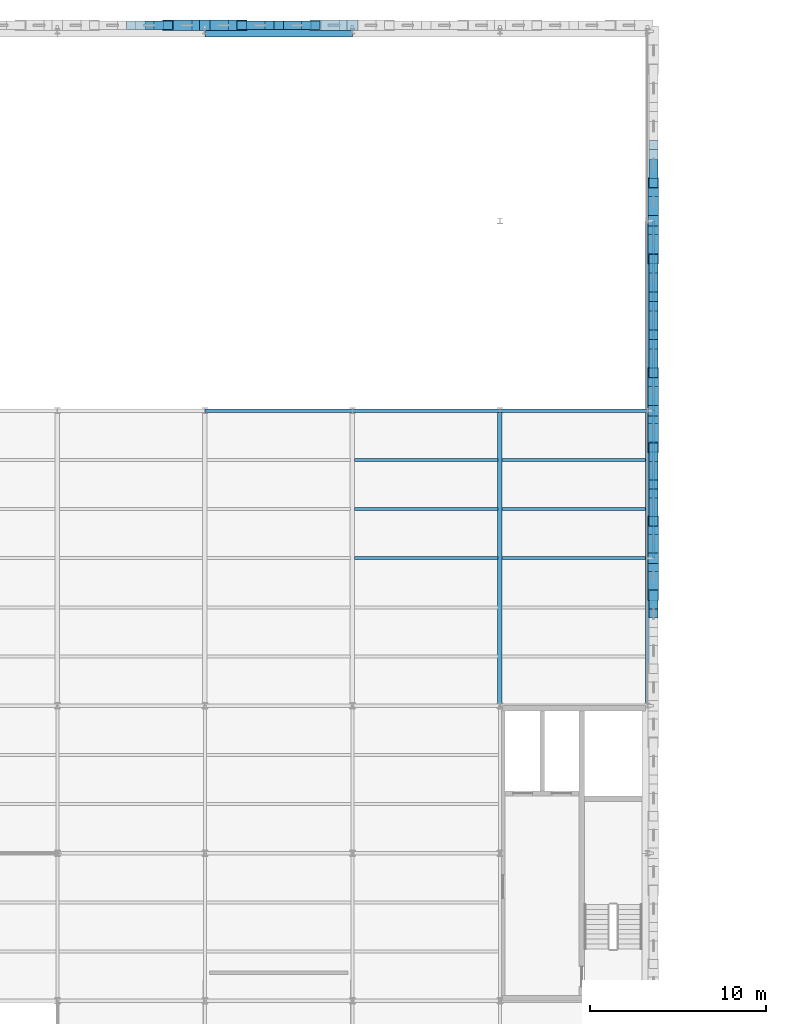
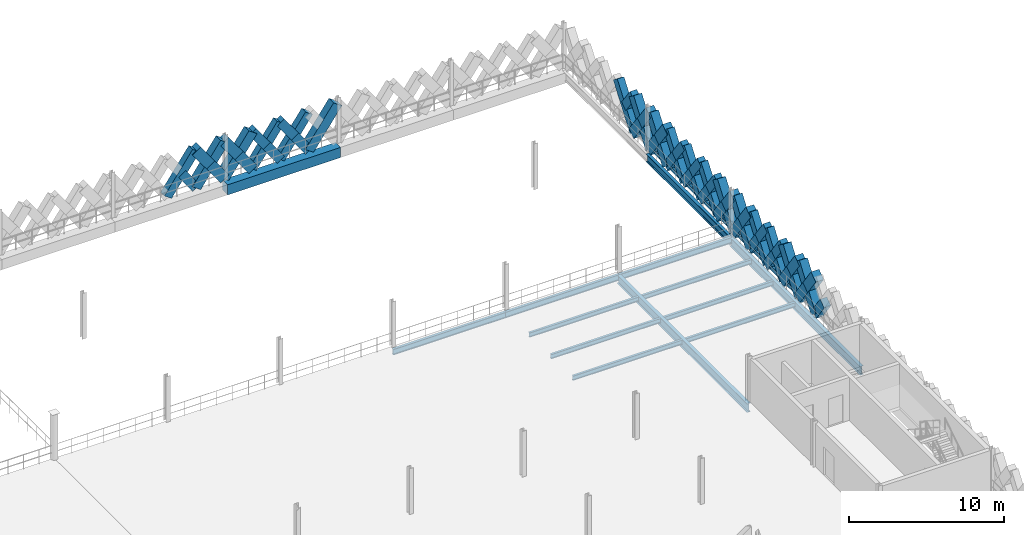
# One storey, part 26 of 47: 53 members, 13 beams.
"""IFC4 building model written with IfcOpenShell, lengths in metres."""

from ifc_helpers import new_model, si_unit, direction, frame, origin, origin_2d, place, context, subcontext, project, spatial, rectangle, hollow_rectangle, i_section, extrude, material, material_profile, profile_set, type_object, element, save


model = new_model("IFC4")

# Units and contexts
model_context = context("Model", 3, precision=1e-05, world=origin(), true_north=direction((0.0, 1.0)))
body_context = subcontext(model_context, "Body", "Model", "MODEL_VIEW")
ifc_project = project(units=[si_unit("LENGTHUNIT", "METRE"), si_unit("AREAUNIT", "SQUARE_METRE"), si_unit("VOLUMEUNIT", "CUBIC_METRE"), si_unit("PLANEANGLEUNIT", "RADIAN"), si_unit("MASSUNIT", "GRAM", prefix="KILO"), si_unit("THERMODYNAMICTEMPERATUREUNIT", "KELVIN"), si_unit("POWERUNIT", "WATT")], contexts=[model_context])

# Site, building, storey
site_placement = place(None, origin())
site = spatial("IfcSite", under=ifc_project, at=site_placement, CompositionType="ELEMENT")
building_placement = place(site_placement, origin())
building = spatial("IfcBuilding", under=site, at=building_placement, Name="Tembeka Court Mobility Hub", CompositionType="ELEMENT")
storey_placement = place(building_placement, frame((0.0, 0.0, 19.800048828125)))
storey = spatial("IfcBuildingStorey", under=building, at=storey_placement, Name="L05", CompositionType="ELEMENT", Elevation=19.800048828125)

# Beams
ifc_material_1 = material(Name="Steel S355", Category="steel")
ifc_material_profile_1 = material_profile(ifc_material_1, i_section(OverallWidth=0.18994140625, OverallDepth=0.45703125, WebThickness=0.009033203125, FlangeThickness=0.014404296875, FilletRadius=0.01025390625, at=origin_2d()), Name="UKB 457x191x74")
ifc_profile_set_1 = profile_set([ifc_material_profile_1], Name="Steel S355")
beam_type_1 = type_object("IfcBeamType", Name="BM-B01", PredefinedType="BEAM", material=ifc_profile_set_1)
beam_1_placement = place(storey_placement, frame((67.199951171875, 97.199951171875, -0.448486328125), z_axis=(1.0, 0.0, 0.0), x_axis=(0.0, 1.0, 0.0)))
element("IfcBeam", 1, at=beam_1_placement, inside=storey, type_object=beam_type_1, Name="Beam B01 (BM-L05-X2761)", PredefinedType="BEAM", context=body_context, shape_type="SweptSolid", body=[
    extrude(i_section(OverallWidth=0.18994140625, OverallDepth=0.45703125, WebThickness=0.009033203125, FlangeThickness=0.014404296875, FilletRadius=0.01025390625, at=origin_2d()), origin(), (0.0, 0.0, 1.0), 8.400146484375),
])
for number, where, z_axis, x_axis, name in (
    (2, (75.60009765625, 97.199951171875, -0.448486328125), (1.0, 0.0, 0.0), (0.0, 1.0, 0.0), "Beam B01 (BM-L05-X2762)"),
    (3, (84.0, 97.199951171875, -0.448486328125), (1.0, 0.0, 0.0), (0.0, 1.0, 0.0), "Beam B01 (BM-L05-X2763)"),
):
    element("IfcBeam", number, at=place(storey_placement, frame(where, z_axis=z_axis, x_axis=x_axis)), inside=storey, type_object=beam_type_1, Name=name, PredefinedType="BEAM", context=body_context, shape_type="SweptSolid", body=[
        extrude(i_section(OverallWidth=0.18994140625, OverallDepth=0.45703125, WebThickness=0.009033203125, FlangeThickness=0.014404296875, FilletRadius=0.01025390625, at=origin_2d()), origin(), (0.0, 0.0, 1.0), 8.39990234375),
    ])
ifc_material_profile_2 = material_profile(ifc_material_1, i_section(OverallWidth=0.25390625, OverallDepth=0.68408203125, WebThickness=0.012451171875, FlangeThickness=0.01904296875, FilletRadius=0.01513671875, at=origin_2d()), Name="UKB 686x254x140")
ifc_profile_set_2 = profile_set([ifc_material_profile_2], Name="Steel S355")
beam_type_2 = type_object("IfcBeamType", Name="BM-G01", PredefinedType="USERDEFINED", material=ifc_profile_set_2)
for number, where, z_axis, x_axis, name in (
    (4, (84.0, 80.39990234375, -0.56201171875), (0.0, 1.0, 0.0), (-1.0, 0.0, 0.0), "Beam G01 (BM-L05-Y2861)"),
    (5, (92.39990234375, 80.39990234375, -0.56201171875), (0.0, 1.0, 0.0), (-1.0, 0.0, 0.0), "Beam G01 (BM-L05-Y2870)"),
):
    element("IfcBeam", number, at=place(storey_placement, frame(where, z_axis=z_axis, x_axis=x_axis)), inside=storey, type_object=beam_type_2, Name=name, ObjectType="GIRDER", PredefinedType="USERDEFINED", context=body_context, shape_type="SweptSolid", body=[
        extrude(i_section(OverallWidth=0.25390625, OverallDepth=0.68408203125, WebThickness=0.012451171875, FlangeThickness=0.01904296875, FilletRadius=0.01513671875, at=origin_2d()), origin(), (0.0, 0.0, 1.0), 16.800048828125),
    ])
ifc_material_profile_3 = material_profile(ifc_material_1, i_section(OverallWidth=0.22900390625, OverallDepth=0.612060546875, WebThickness=0.011962890625, FlangeThickness=0.01953125, FilletRadius=0.0126953125, at=origin_2d()), Name="UKB 610x229x125")
ifc_profile_set_3 = profile_set([ifc_material_profile_3], Name="Steel S355")
beam_type_3 = type_object("IfcBeamType", Name="BM-G02", PredefinedType="USERDEFINED", material=ifc_profile_set_3)
beam_2_placement = place(storey_placement, frame((92.39990234375, 97.199951171875, -0.526123046875), z_axis=(0.0, 1.0, 0.0), x_axis=(-1.0, 0.0, 0.0)))
element("IfcBeam", 6, at=beam_2_placement, inside=storey, type_object=beam_type_3, Name="Beam G02 (BM-L05-Y2871)", ObjectType="GIRDER", PredefinedType="USERDEFINED", context=body_context, shape_type="SweptSolid", body=[
    extrude(i_section(OverallWidth=0.22900390625, OverallDepth=0.612060546875, WebThickness=0.011962890625, FlangeThickness=0.01953125, FilletRadius=0.0126953125, at=origin_2d()), origin(), (0.0, 0.0, 1.0), 10.800048828125),
])
ifc_material_profile_4 = material_profile(ifc_material_1, i_section(OverallWidth=0.172119140625, OverallDepth=0.35498046875, WebThickness=0.00732421875, FlangeThickness=0.011474609375, FilletRadius=0.01025390625, at=origin_2d()), Name="UKB 356x171x51")
ifc_profile_set_4 = profile_set([ifc_material_profile_4], Name="Steel S355")
beam_type_4 = type_object("IfcBeamType", Name="BM-J01", PredefinedType="JOIST", material=ifc_profile_set_4)
for number, where, z_axis, x_axis, name in (
    (7, (75.721923828125, 88.800048828125, -0.3974609375), (1.0, 0.0, 0.0), (0.0, 1.0, 0.0), "Beam J01 (JST-L05-3062)"),
    (8, (75.721923828125, 91.60009765625, -0.3974609375), (1.0, 0.0, 0.0), (0.0, 1.0, 0.0), "Beam J01 (JST-L05-3063)"),
    (9, (75.721923828125, 94.39990234375, -0.3974609375), (1.0, 0.0, 0.0), (0.0, 1.0, 0.0), "Beam J01 (JST-L05-3064)"),
    (10, (84.1220703125, 88.800048828125, -0.3974609375), (1.0, 0.0, 0.0), (0.0, 1.0, 0.0), "Beam J01 (JST-L05-3074)"),
    (11, (84.1220703125, 91.60009765625, -0.3974609375), (1.0, 0.0, 0.0), (0.0, 1.0, 0.0), "Beam J01 (JST-L05-3075)"),
    (12, (84.1220703125, 94.39990234375, -0.3974609375), (1.0, 0.0, 0.0), (0.0, 1.0, 0.0), "Beam J01 (JST-L05-3076)"),
):
    element("IfcBeam", number, at=place(storey_placement, frame(where, z_axis=z_axis, x_axis=x_axis)), inside=storey, type_object=beam_type_4, Name=name, PredefinedType="JOIST", context=body_context, shape_type="SweptSolid", body=[
        extrude(i_section(OverallWidth=0.172119140625, OverallDepth=0.35498046875, WebThickness=0.00732421875, FlangeThickness=0.011474609375, FilletRadius=0.01025390625, at=origin_2d()), origin(), (0.0, 0.0, 1.0), 8.156005859375),
    ])
ifc_material_2 = material(Name="Precast concrete C45/55", Category="concrete")
ifc_material_profile_5 = material_profile(ifc_material_2, rectangle(XDim=0.64990234375, YDim=0.800048828125, at=origin_2d()), Name="PC-SP 650x800")
ifc_profile_set_5 = profile_set([ifc_material_profile_5], Name="Precast concrete C45/55")
beam_type_5 = type_object("IfcBeamType", Name="BM-SP01", PredefinedType="SPANDREL", material=ifc_profile_set_5)
beam_3_placement = place(storey_placement, frame((67.199951171875, 118.800048828125, -0.6201171875), z_axis=(1.0, 0.0, 0.0), x_axis=(0.0, 1.0, 0.0)))
element("IfcBeam", 13, at=beam_3_placement, inside=storey, type_object=beam_type_5, Name="Beam SP01 (BM-L05-X2773)", PredefinedType="SPANDREL", context=body_context, shape_type="SweptSolid", body=[
    extrude(rectangle(XDim=0.64990234375, YDim=0.800048828125, at=origin_2d()), origin(), (0.0, 0.0, 1.0), 8.400146484375),
])

# Members
ifc_material_profile_6 = material_profile(ifc_material_2, rectangle(XDim=0.5, YDim=0.64990234375, at=origin_2d()), Name="PC-DIAG 500x650")
ifc_profile_set_6 = profile_set([ifc_material_profile_6], Name="Precast concrete C45/55")
member_type_1 = type_object("IfcMemberType", Name="MEM-DL01", PredefinedType="BRACE", material=ifc_profile_set_6)
member_1_placement = place(storey_placement, frame((63.0, 119.139892578125, 0.02001953125), z_axis=(0.582576362011, 0.0, 0.812775973086), x_axis=(0.0, 1.0, 0.0)))
element("IfcMember", 14, at=member_1_placement, inside=storey, type_object=member_type_1, Name="Precast diamond lattice continuous strand DL01 (L05-863A)", PredefinedType="BRACE", context=body_context, shape_type="SweptSolid", body=[
    extrude(rectangle(XDim=0.5, YDim=0.64990234375, at=origin_2d()), origin(), (0.0, 0.0, 1.0), 3.604736328125),
])
member_2_placement = place(storey_placement, frame((65.10009765625, 119.139892578125, 0.02001953125), z_axis=(-0.582608431711, 0.0, 0.812752985414), x_axis=(0.0, -1.0, 0.0)))
element("IfcMember", 15, at=member_2_placement, inside=storey, type_object=member_type_1, Name="Precast diamond lattice split lower strand DL01 (L05-863B1)", PredefinedType="BRACE", context=body_context, shape_type="SweptSolid", body=[
    extrude(rectangle(XDim=0.5, YDim=0.64990234375, at=origin_2d()), origin(), (0.0, 0.0, 1.0), 1.80224609375),
])
member_3_placement = place(storey_placement, frame((69.300048828125, 119.139892578125, 0.02001953125), z_axis=(0.58253161945, 0.0, 0.812808041509), x_axis=(0.0, 1.0, 0.0)))
element("IfcMember", 16, at=member_3_placement, inside=storey, type_object=member_type_1, Name="Precast diamond lattice continuous strand DL01 (L05-866A)", PredefinedType="BRACE", context=body_context, shape_type="SweptSolid", body=[
    extrude(rectangle(XDim=0.5, YDim=0.64990234375, at=origin_2d()), origin(), (0.0, 0.0, 1.0), 3.604736328125),
])
member_4_placement = place(storey_placement, frame((71.39990234375, 119.139892578125, 0.02001953125), z_axis=(-0.582518941428, 0.0, 0.812817127574), x_axis=(0.0, -1.0, 0.0)))
element("IfcMember", 17, at=member_4_placement, inside=storey, type_object=member_type_1, Name="Precast diamond lattice split lower strand DL01 (L05-866B1)", PredefinedType="BRACE", context=body_context, shape_type="SweptSolid", body=[
    extrude(rectangle(XDim=0.5, YDim=0.64990234375, at=origin_2d()), origin(), (0.0, 0.0, 1.0), 1.80224609375),
])
member_5_placement = place(storey_placement, frame((70.35009765625, 119.139892578125, 1.48486328125), z_axis=(-0.582544294934, 0.0, 0.812798956963), x_axis=(0.0, -1.0, 0.0)))
element("IfcMember", 18, at=member_5_placement, inside=storey, type_object=member_type_1, Name="Precast diamond lattice split upper strand DL01 (L05-866B2)", PredefinedType="BRACE", context=body_context, shape_type="SweptSolid", body=[
    extrude(rectangle(XDim=0.5, YDim=0.64990234375, at=origin_2d()), origin(), (0.0, 0.0, 1.0), 1.802490234375),
])
member_6_placement = place(storey_placement, frame((71.39990234375, 119.139892578125, 0.02001953125), z_axis=(0.582576362011, 0.0, 0.812775973086), x_axis=(0.0, 1.0, 0.0)))
element("IfcMember", 19, at=member_6_placement, inside=storey, type_object=member_type_1, Name="Precast diamond lattice continuous strand DL01 (L05-867A)", PredefinedType="BRACE", context=body_context, shape_type="SweptSolid", body=[
    extrude(rectangle(XDim=0.5, YDim=0.64990234375, at=origin_2d()), origin(), (0.0, 0.0, 1.0), 3.604736328125),
])
member_7_placement = place(storey_placement, frame((73.5, 119.139892578125, 0.02001953125), z_axis=(-0.582608431711, 0.0, 0.812752985414), x_axis=(0.0, -1.0, 0.0)))
element("IfcMember", 20, at=member_7_placement, inside=storey, type_object=member_type_1, Name="Precast diamond lattice split lower strand DL01 (L05-867B1)", PredefinedType="BRACE", context=body_context, shape_type="SweptSolid", body=[
    extrude(rectangle(XDim=0.5, YDim=0.64990234375, at=origin_2d()), origin(), (0.0, 0.0, 1.0), 1.80224609375),
])
member_8_placement = place(storey_placement, frame((72.449951171875, 119.139892578125, 1.48486328125), z_axis=(-0.582544294934, 0.0, 0.812798956963), x_axis=(0.0, -1.0, 0.0)))
element("IfcMember", 21, at=member_8_placement, inside=storey, type_object=member_type_1, Name="Precast diamond lattice split upper strand DL01 (L05-867B2)", PredefinedType="BRACE", context=body_context, shape_type="SweptSolid", body=[
    extrude(rectangle(XDim=0.5, YDim=0.64990234375, at=origin_2d()), origin(), (0.0, 0.0, 1.0), 1.802490234375),
])
member_9_placement = place(storey_placement, frame((92.739990234375, 86.699951171875, 0.02001953125), z_axis=(0.0, -0.582608431711, 0.812752985414), x_axis=(1.0, 0.0, 0.0)))
element("IfcMember", 22, at=member_9_placement, inside=storey, type_object=member_type_1, Name="Precast diamond lattice split lower strand DL01 (L05-973D1)", PredefinedType="BRACE", context=body_context, shape_type="SweptSolid", body=[
    extrude(rectangle(XDim=0.5, YDim=0.64990234375, at=origin_2d()), origin(), (0.0, 0.0, 1.0), 1.80224609375),
])
member_10_placement = place(storey_placement, frame((92.739990234375, 90.89990234375, 0.02001953125), z_axis=(0.0, 0.582576362011, 0.812775973086), x_axis=(-1.0, 0.0, 0.0)))
element("IfcMember", 23, at=member_10_placement, inside=storey, type_object=member_type_1, Name="Precast diamond lattice continuous strand DL01 (L05-976C)", PredefinedType="BRACE", context=body_context, shape_type="SweptSolid", body=[
    extrude(rectangle(XDim=0.5, YDim=0.64990234375, at=origin_2d()), origin(), (0.0, 0.0, 1.0), 3.604736328125),
])
member_11_placement = place(storey_placement, frame((92.739990234375, 93.0, 0.02001953125), z_axis=(0.0, -0.582608431711, 0.812752985414), x_axis=(1.0, 0.0, 0.0)))
element("IfcMember", 24, at=member_11_placement, inside=storey, type_object=member_type_1, Name="Precast diamond lattice split lower strand DL01 (L05-976D1)", PredefinedType="BRACE", context=body_context, shape_type="SweptSolid", body=[
    extrude(rectangle(XDim=0.5, YDim=0.64990234375, at=origin_2d()), origin(), (0.0, 0.0, 1.0), 1.80224609375),
])
member_12_placement = place(storey_placement, frame((92.739990234375, 91.949951171875, 1.48486328125), z_axis=(0.0, -0.582544294934, 0.812798956963), x_axis=(1.0, 0.0, 0.0)))
element("IfcMember", 25, at=member_12_placement, inside=storey, type_object=member_type_1, Name="Precast diamond lattice split upper strand DL01 (L05-976D2)", PredefinedType="BRACE", context=body_context, shape_type="SweptSolid", body=[
    extrude(rectangle(XDim=0.5, YDim=0.64990234375, at=origin_2d()), origin(), (0.0, 0.0, 1.0), 1.802490234375),
])
member_13_placement = place(storey_placement, frame((92.739990234375, 93.0, 0.02001953125), z_axis=(0.0, 0.582576362011, 0.812775973086), x_axis=(-1.0, 0.0, 0.0)))
element("IfcMember", 26, at=member_13_placement, inside=storey, type_object=member_type_1, Name="Precast diamond lattice continuous strand DL01 (L05-977C)", PredefinedType="BRACE", context=body_context, shape_type="SweptSolid", body=[
    extrude(rectangle(XDim=0.5, YDim=0.64990234375, at=origin_2d()), origin(), (0.0, 0.0, 1.0), 3.604736328125),
])
member_14_placement = place(storey_placement, frame((92.739990234375, 95.10009765625, 0.02001953125), z_axis=(0.0, -0.582608431711, 0.812752985414), x_axis=(1.0, 0.0, 0.0)))
element("IfcMember", 27, at=member_14_placement, inside=storey, type_object=member_type_1, Name="Precast diamond lattice split lower strand DL01 (L05-977D1)", PredefinedType="BRACE", context=body_context, shape_type="SweptSolid", body=[
    extrude(rectangle(XDim=0.5, YDim=0.64990234375, at=origin_2d()), origin(), (0.0, 0.0, 1.0), 1.80224609375),
])
member_15_placement = place(storey_placement, frame((92.739990234375, 94.050048828125, 1.48486328125), z_axis=(0.0, -0.582544294934, 0.812798956963), x_axis=(1.0, 0.0, 0.0)))
element("IfcMember", 28, at=member_15_placement, inside=storey, type_object=member_type_1, Name="Precast diamond lattice split upper strand DL01 (L05-977D2)", PredefinedType="BRACE", context=body_context, shape_type="SweptSolid", body=[
    extrude(rectangle(XDim=0.5, YDim=0.64990234375, at=origin_2d()), origin(), (0.0, 0.0, 1.0), 1.802490234375),
])
member_16_placement = place(storey_placement, frame((92.739990234375, 99.360107421875, 0.02001953125), z_axis=(0.0, 0.593379766398, 0.804922637792), x_axis=(-1.0, 0.0, 0.0)))
element("IfcMember", 29, at=member_16_placement, inside=storey, type_object=member_type_1, Name="Precast diamond lattice continuous strand DL01 (L05-980C)", PredefinedType="BRACE", context=body_context, shape_type="SweptSolid", body=[
    extrude(rectangle(XDim=0.5, YDim=0.64990234375, at=origin_2d()), origin(), (0.0, 0.0, 1.0), 3.64013671875),
])
for number, where, z_axis, x_axis, name in (
    (30, (92.739990234375, 101.52001953125, 0.02001953125), (0.0, -0.593455255298, 0.804866982773), (1.0, 0.0, 0.0), "Precast diamond lattice split lower strand DL01 (L05-980D1)"),
    (31, (92.739990234375, 100.43994140625, 1.48486328125), (0.0, -0.593304274421, 0.804978284151), (1.0, 0.0, 0.0), "Precast diamond lattice split upper strand DL01 (L05-980D2)"),
):
    element("IfcMember", number, at=place(storey_placement, frame(where, z_axis=z_axis, x_axis=x_axis)), inside=storey, type_object=member_type_1, Name=name, PredefinedType="BRACE", context=body_context, shape_type="SweptSolid", body=[
        extrude(rectangle(XDim=0.5, YDim=0.64990234375, at=origin_2d()), origin(), (0.0, 0.0, 1.0), 1.820068359375),
    ])
member_17_placement = place(storey_placement, frame((92.739990234375, 101.52001953125, 0.02001953125), z_axis=(0.0, 0.593379766398, 0.804922637792), x_axis=(-1.0, 0.0, 0.0)))
element("IfcMember", 32, at=member_17_placement, inside=storey, type_object=member_type_1, Name="Precast diamond lattice continuous strand DL01 (L05-981C)", PredefinedType="BRACE", context=body_context, shape_type="SweptSolid", body=[
    extrude(rectangle(XDim=0.5, YDim=0.64990234375, at=origin_2d()), origin(), (0.0, 0.0, 1.0), 3.64013671875),
])
member_18_placement = place(storey_placement, frame((92.739990234375, 103.679931640625, 0.02001953125), z_axis=(0.0, -0.593368344659, 0.804931057642), x_axis=(1.0, 0.0, 0.0)))
element("IfcMember", 33, at=member_18_placement, inside=storey, type_object=member_type_1, Name="Precast diamond lattice split lower strand DL01 (L05-981D1)", PredefinedType="BRACE", context=body_context, shape_type="SweptSolid", body=[
    extrude(rectangle(XDim=0.5, YDim=0.64990234375, at=origin_2d()), origin(), (0.0, 0.0, 1.0), 1.81982421875),
])
member_19_placement = place(storey_placement, frame((92.739990234375, 102.60009765625, 1.48486328125), z_axis=(0.0, -0.593391185876, 0.804914219358), x_axis=(1.0, 0.0, 0.0)))
element("IfcMember", 34, at=member_19_placement, inside=storey, type_object=member_type_1, Name="Precast diamond lattice split upper strand DL01 (L05-981D2)", PredefinedType="BRACE", context=body_context, shape_type="SweptSolid", body=[
    extrude(rectangle(XDim=0.5, YDim=0.64990234375, at=origin_2d()), origin(), (0.0, 0.0, 1.0), 1.820068359375),
])
member_20_placement = place(storey_placement, frame((92.739990234375, 103.679931640625, 0.02001953125), z_axis=(0.0, 0.593423219328, 0.804890602978), x_axis=(-1.0, 0.0, 0.0)))
element("IfcMember", 35, at=member_20_placement, inside=storey, type_object=member_type_1, Name="Precast diamond lattice continuous strand DL01 (L05-982C)", PredefinedType="BRACE", context=body_context, shape_type="SweptSolid", body=[
    extrude(rectangle(XDim=0.5, YDim=0.64990234375, at=origin_2d()), origin(), (0.0, 0.0, 1.0), 3.64013671875),
])
for number, where, z_axis, x_axis, name in (
    (36, (92.739990234375, 105.840087890625, 0.02001953125), (0.0, -0.593455255298, 0.804866982773), (1.0, 0.0, 0.0), "Precast diamond lattice split lower strand DL01 (L05-982D1)"),
    (37, (92.739990234375, 104.760009765625, 1.48486328125), (0.0, -0.593391185876, 0.804914219358), (1.0, 0.0, 0.0), "Precast diamond lattice split upper strand DL01 (L05-982D2)"),
):
    element("IfcMember", number, at=place(storey_placement, frame(where, z_axis=z_axis, x_axis=x_axis)), inside=storey, type_object=member_type_1, Name=name, PredefinedType="BRACE", context=body_context, shape_type="SweptSolid", body=[
        extrude(rectangle(XDim=0.5, YDim=0.64990234375, at=origin_2d()), origin(), (0.0, 0.0, 1.0), 1.820068359375),
    ])
member_21_placement = place(storey_placement, frame((92.739990234375, 110.159912109375, 0.02001953125), z_axis=(0.0, 0.593423219328, 0.804890602978), x_axis=(-1.0, 0.0, 0.0)))
element("IfcMember", 38, at=member_21_placement, inside=storey, type_object=member_type_1, Name="Precast diamond lattice continuous strand DL01 (L05-985C)", PredefinedType="BRACE", context=body_context, shape_type="SweptSolid", body=[
    extrude(rectangle(XDim=0.5, YDim=0.64990234375, at=origin_2d()), origin(), (0.0, 0.0, 1.0), 3.64013671875),
])
member_22_placement = place(storey_placement, frame((92.739990234375, 111.239990234375, 1.48486328125), z_axis=(0.0, -0.593391185876, 0.804914219358), x_axis=(1.0, 0.0, 0.0)))
element("IfcMember", 39, at=member_22_placement, inside=storey, type_object=member_type_1, Name="Precast diamond lattice split upper strand DL01 (L05-985D2)", PredefinedType="BRACE", context=body_context, shape_type="SweptSolid", body=[
    extrude(rectangle(XDim=0.5, YDim=0.64990234375, at=origin_2d()), origin(), (0.0, 0.0, 1.0), 1.820068359375),
])
ifc_material_profile_7 = material_profile(ifc_material_2, rectangle(XDim=0.60009765625, YDim=0.75, at=origin_2d()), Name="PC-DIAG 600x750")
ifc_profile_set_7 = profile_set([ifc_material_profile_7], Name="Precast concrete C45/55")
member_type_2 = type_object("IfcMemberType", Name="MEM-DL02", PredefinedType="BRACE", material=ifc_profile_set_7)
member_23_placement = place(storey_placement, frame((65.10009765625, 119.139892578125, 0.02001953125), z_axis=(0.58253161945, 0.0, 0.812808041509), x_axis=(0.0, 1.0, 0.0)))
element("IfcMember", 40, at=member_23_placement, inside=storey, type_object=member_type_2, Name="Precast diamond lattice continuous strand DL02 (L05-864A)", PredefinedType="BRACE", context=body_context, shape_type="SweptSolid", body=[
    extrude(rectangle(XDim=0.60009765625, YDim=0.75, at=origin_2d()), origin(), (0.0, 0.0, 1.0), 3.604736328125),
])
member_24_placement = place(storey_placement, frame((67.199951171875, 119.139892578125, 0.02001953125), z_axis=(-0.582608431711, 0.0, 0.812752985414), x_axis=(0.0, -1.0, 0.0)))
element("IfcMember", 41, at=member_24_placement, inside=storey, type_object=member_type_2, Name="Precast diamond lattice split lower strand DL02 (L05-864B1)", PredefinedType="BRACE", context=body_context, shape_type="SweptSolid", body=[
    extrude(rectangle(XDim=0.60009765625, YDim=0.75, at=origin_2d()), origin(), (0.0, 0.0, 1.0), 1.80224609375),
])
member_25_placement = place(storey_placement, frame((66.14990234375, 119.139892578125, 1.48486328125), z_axis=(-0.582454804382, 0.0, 0.812863088627), x_axis=(0.0, -1.0, 0.0)))
element("IfcMember", 42, at=member_25_placement, inside=storey, type_object=member_type_2, Name="Precast diamond lattice split upper strand DL02 (L05-864B2)", PredefinedType="BRACE", context=body_context, shape_type="SweptSolid", body=[
    extrude(rectangle(XDim=0.60009765625, YDim=0.75, at=origin_2d()), origin(), (0.0, 0.0, 1.0), 1.802490234375),
])
member_26_placement = place(storey_placement, frame((67.199951171875, 119.139892578125, 0.02001953125), z_axis=(0.582576362011, 0.0, 0.812775973086), x_axis=(0.0, 1.0, 0.0)))
element("IfcMember", 43, at=member_26_placement, inside=storey, type_object=member_type_2, Name="Precast diamond lattice continuous strand DL02 (L05-865A)", PredefinedType="BRACE", context=body_context, shape_type="SweptSolid", body=[
    extrude(rectangle(XDim=0.60009765625, YDim=0.75, at=origin_2d()), origin(), (0.0, 0.0, 1.0), 3.604736328125),
])
member_27_placement = place(storey_placement, frame((69.300048828125, 119.139892578125, 0.02001953125), z_axis=(-0.582608431711, 0.0, 0.812752985414), x_axis=(0.0, -1.0, 0.0)))
element("IfcMember", 44, at=member_27_placement, inside=storey, type_object=member_type_2, Name="Precast diamond lattice split lower strand DL02 (L05-865B1)", PredefinedType="BRACE", context=body_context, shape_type="SweptSolid", body=[
    extrude(rectangle(XDim=0.60009765625, YDim=0.75, at=origin_2d()), origin(), (0.0, 0.0, 1.0), 1.80224609375),
])
member_28_placement = place(storey_placement, frame((68.25, 119.139892578125, 1.48486328125), z_axis=(-0.582544294934, 0.0, 0.812798956963), x_axis=(0.0, -1.0, 0.0)))
element("IfcMember", 45, at=member_28_placement, inside=storey, type_object=member_type_2, Name="Precast diamond lattice split upper strand DL02 (L05-865B2)", PredefinedType="BRACE", context=body_context, shape_type="SweptSolid", body=[
    extrude(rectangle(XDim=0.60009765625, YDim=0.75, at=origin_2d()), origin(), (0.0, 0.0, 1.0), 1.802490234375),
])
for number, where, z_axis, x_axis, name in (
    (46, (73.5, 119.139892578125, 0.02001953125), (0.582576362011, 0.0, 0.812775973086), (0.0, 1.0, 0.0), "Precast diamond lattice continuous strand DL02 (L05-868A)"),
    (47, (92.739990234375, 86.699951171875, 0.02001953125), (0.0, 0.582576362011, 0.812775973086), (-1.0, 0.0, 0.0), "Precast diamond lattice continuous strand DL02 (L05-974C)"),
):
    element("IfcMember", number, at=place(storey_placement, frame(where, z_axis=z_axis, x_axis=x_axis)), inside=storey, type_object=member_type_2, Name=name, PredefinedType="BRACE", context=body_context, shape_type="SweptSolid", body=[
        extrude(rectangle(XDim=0.60009765625, YDim=0.75, at=origin_2d()), origin(), (0.0, 0.0, 1.0), 3.604736328125),
    ])
member_29_placement = place(storey_placement, frame((92.739990234375, 88.800048828125, 0.02001953125), z_axis=(0.0, -0.582608431711, 0.812752985414), x_axis=(1.0, 0.0, 0.0)))
element("IfcMember", 48, at=member_29_placement, inside=storey, type_object=member_type_2, Name="Precast diamond lattice split lower strand DL02 (L05-974D1)", PredefinedType="BRACE", context=body_context, shape_type="SweptSolid", body=[
    extrude(rectangle(XDim=0.60009765625, YDim=0.75, at=origin_2d()), origin(), (0.0, 0.0, 1.0), 1.80224609375),
])
member_30_placement = place(storey_placement, frame((92.739990234375, 87.75, 1.48486328125), z_axis=(0.0, -0.582544294934, 0.812798956963), x_axis=(1.0, 0.0, 0.0)))
element("IfcMember", 49, at=member_30_placement, inside=storey, type_object=member_type_2, Name="Precast diamond lattice split upper strand DL02 (L05-974D2)", PredefinedType="BRACE", context=body_context, shape_type="SweptSolid", body=[
    extrude(rectangle(XDim=0.60009765625, YDim=0.75, at=origin_2d()), origin(), (0.0, 0.0, 1.0), 1.802490234375),
])
member_31_placement = place(storey_placement, frame((92.739990234375, 88.800048828125, 0.02001953125), z_axis=(0.0, 0.58253161945, 0.812808041509), x_axis=(-1.0, 0.0, 0.0)))
element("IfcMember", 50, at=member_31_placement, inside=storey, type_object=member_type_2, Name="Precast diamond lattice continuous strand DL02 (L05-975C)", PredefinedType="BRACE", context=body_context, shape_type="SweptSolid", body=[
    extrude(rectangle(XDim=0.60009765625, YDim=0.75, at=origin_2d()), origin(), (0.0, 0.0, 1.0), 3.604736328125),
])
member_32_placement = place(storey_placement, frame((92.739990234375, 90.89990234375, 0.02001953125), z_axis=(0.0, -0.582518941428, 0.812817127574), x_axis=(1.0, 0.0, 0.0)))
element("IfcMember", 51, at=member_32_placement, inside=storey, type_object=member_type_2, Name="Precast diamond lattice split lower strand DL02 (L05-975D1)", PredefinedType="BRACE", context=body_context, shape_type="SweptSolid", body=[
    extrude(rectangle(XDim=0.60009765625, YDim=0.75, at=origin_2d()), origin(), (0.0, 0.0, 1.0), 1.80224609375),
])
member_33_placement = place(storey_placement, frame((92.739990234375, 89.85009765625, 1.48486328125), z_axis=(0.0, -0.582544294934, 0.812798956963), x_axis=(1.0, 0.0, 0.0)))
element("IfcMember", 52, at=member_33_placement, inside=storey, type_object=member_type_2, Name="Precast diamond lattice split upper strand DL02 (L05-975D2)", PredefinedType="BRACE", context=body_context, shape_type="SweptSolid", body=[
    extrude(rectangle(XDim=0.60009765625, YDim=0.75, at=origin_2d()), origin(), (0.0, 0.0, 1.0), 1.802490234375),
])
member_34_placement = place(storey_placement, frame((92.739990234375, 95.10009765625, 0.02001953125), z_axis=(0.0, 0.58253161945, 0.812808041509), x_axis=(-1.0, 0.0, 0.0)))
element("IfcMember", 53, at=member_34_placement, inside=storey, type_object=member_type_2, Name="Precast diamond lattice continuous strand DL02 (L05-978C)", PredefinedType="BRACE", context=body_context, shape_type="SweptSolid", body=[
    extrude(rectangle(XDim=0.60009765625, YDim=0.75, at=origin_2d()), origin(), (0.0, 0.0, 1.0), 3.604736328125),
])
member_35_placement = place(storey_placement, frame((92.739990234375, 97.199951171875, 0.02001953125), z_axis=(0.0, -0.582608431711, 0.812752985414), x_axis=(1.0, 0.0, 0.0)))
element("IfcMember", 54, at=member_35_placement, inside=storey, type_object=member_type_2, Name="Precast diamond lattice split lower strand DL02 (L05-978D1)", PredefinedType="BRACE", context=body_context, shape_type="SweptSolid", body=[
    extrude(rectangle(XDim=0.60009765625, YDim=0.75, at=origin_2d()), origin(), (0.0, 0.0, 1.0), 1.80224609375),
])
member_36_placement = place(storey_placement, frame((92.739990234375, 96.14990234375, 1.48486328125), z_axis=(0.0, -0.582454804382, 0.812863088627), x_axis=(1.0, 0.0, 0.0)))
element("IfcMember", 55, at=member_36_placement, inside=storey, type_object=member_type_2, Name="Precast diamond lattice split upper strand DL02 (L05-978D2)", PredefinedType="BRACE", context=body_context, shape_type="SweptSolid", body=[
    extrude(rectangle(XDim=0.60009765625, YDim=0.75, at=origin_2d()), origin(), (0.0, 0.0, 1.0), 1.802490234375),
])
member_37_placement = place(storey_placement, frame((92.739990234375, 97.199951171875, 0.02001953125), z_axis=(0.0, 0.593423219328, 0.804890602978), x_axis=(-1.0, 0.0, 0.0)))
element("IfcMember", 56, at=member_37_placement, inside=storey, type_object=member_type_2, Name="Precast diamond lattice continuous strand DL02 (L05-979C)", PredefinedType="BRACE", context=body_context, shape_type="SweptSolid", body=[
    extrude(rectangle(XDim=0.60009765625, YDim=0.75, at=origin_2d()), origin(), (0.0, 0.0, 1.0), 3.64013671875),
])
for number, where, z_axis, x_axis, name in (
    (57, (92.739990234375, 99.360107421875, 0.02001953125), (0.0, -0.593455255298, 0.804866982773), (1.0, 0.0, 0.0), "Precast diamond lattice split lower strand DL02 (L05-979D1)"),
    (58, (92.739990234375, 98.280029296875, 1.48486328125), (0.0, -0.593391185876, 0.804914219358), (1.0, 0.0, 0.0), "Precast diamond lattice split upper strand DL02 (L05-979D2)"),
):
    element("IfcMember", number, at=place(storey_placement, frame(where, z_axis=z_axis, x_axis=x_axis)), inside=storey, type_object=member_type_2, Name=name, PredefinedType="BRACE", context=body_context, shape_type="SweptSolid", body=[
        extrude(rectangle(XDim=0.60009765625, YDim=0.75, at=origin_2d()), origin(), (0.0, 0.0, 1.0), 1.820068359375),
    ])
member_38_placement = place(storey_placement, frame((92.739990234375, 105.840087890625, 0.02001953125), z_axis=(0.0, 0.593379766398, 0.804922637792), x_axis=(-1.0, 0.0, 0.0)))
element("IfcMember", 59, at=member_38_placement, inside=storey, type_object=member_type_2, Name="Precast diamond lattice continuous strand DL02 (L05-983C)", PredefinedType="BRACE", context=body_context, shape_type="SweptSolid", body=[
    extrude(rectangle(XDim=0.60009765625, YDim=0.75, at=origin_2d()), origin(), (0.0, 0.0, 1.0), 3.64013671875),
])
for number, where, z_axis, x_axis, name in (
    (60, (92.739990234375, 108.0, 0.02001953125), (0.0, -0.593455255298, 0.804866982773), (1.0, 0.0, 0.0), "Precast diamond lattice split lower strand DL02 (L05-983D1)"),
    (61, (92.739990234375, 106.919921875, 1.48486328125), (0.0, -0.593304274421, 0.804978284151), (1.0, 0.0, 0.0), "Precast diamond lattice split upper strand DL02 (L05-983D2)"),
):
    element("IfcMember", number, at=place(storey_placement, frame(where, z_axis=z_axis, x_axis=x_axis)), inside=storey, type_object=member_type_2, Name=name, PredefinedType="BRACE", context=body_context, shape_type="SweptSolid", body=[
        extrude(rectangle(XDim=0.60009765625, YDim=0.75, at=origin_2d()), origin(), (0.0, 0.0, 1.0), 1.820068359375),
    ])
member_39_placement = place(storey_placement, frame((92.739990234375, 108.0, 0.02001953125), z_axis=(0.0, 0.593379766398, 0.804922637792), x_axis=(-1.0, 0.0, 0.0)))
element("IfcMember", 62, at=member_39_placement, inside=storey, type_object=member_type_2, Name="Precast diamond lattice continuous strand DL02 (L05-984C)", PredefinedType="BRACE", context=body_context, shape_type="SweptSolid", body=[
    extrude(rectangle(XDim=0.60009765625, YDim=0.75, at=origin_2d()), origin(), (0.0, 0.0, 1.0), 3.64013671875),
])
member_40_placement = place(storey_placement, frame((92.739990234375, 110.159912109375, 0.02001953125), z_axis=(0.0, -0.593368344659, 0.804931057642), x_axis=(1.0, 0.0, 0.0)))
element("IfcMember", 63, at=member_40_placement, inside=storey, type_object=member_type_2, Name="Precast diamond lattice split lower strand DL02 (L05-984D1)", PredefinedType="BRACE", context=body_context, shape_type="SweptSolid", body=[
    extrude(rectangle(XDim=0.60009765625, YDim=0.75, at=origin_2d()), origin(), (0.0, 0.0, 1.0), 1.81982421875),
])
member_41_placement = place(storey_placement, frame((92.739990234375, 109.080078125, 1.48486328125), z_axis=(0.0, -0.593391185876, 0.804914219358), x_axis=(1.0, 0.0, 0.0)))
element("IfcMember", 64, at=member_41_placement, inside=storey, type_object=member_type_2, Name="Precast diamond lattice split upper strand DL02 (L05-984D2)", PredefinedType="BRACE", context=body_context, shape_type="SweptSolid", body=[
    extrude(rectangle(XDim=0.60009765625, YDim=0.75, at=origin_2d()), origin(), (0.0, 0.0, 1.0), 1.820068359375),
])
ifc_material_profile_8 = material_profile(ifc_material_1, hollow_rectangle(XDim=0.14990234375, YDim=0.300048828125, WallThickness=0.010009765625, at=origin_2d()), Name="RHS 300x150x10")
ifc_profile_set_8 = profile_set([ifc_material_profile_8], Name="Steel S355")
member_type_3 = type_object("IfcMemberType", Name="MEM-ST03", PredefinedType="STRUT", material=ifc_profile_set_8)
member_42_placement = place(storey_placement, frame((92.739990234375, 88.800048828125, 0.02001953125), z_axis=(0.0, 1.0, 0.0), x_axis=(-1.0, 0.0, 0.0)))
element("IfcMember", 65, at=member_42_placement, inside=storey, type_object=member_type_3, Name="Proud lattice sill tie chord SR03 (L05-E-88)", PredefinedType="STRUT", context=body_context, shape_type="SweptSolid", body=[
    extrude(hollow_rectangle(XDim=0.14990234375, YDim=0.300048828125, WallThickness=0.010009765625, at=origin_2d()), origin(), (0.0, 0.0, 1.0), 8.39990234375),
])
member_43_placement = place(storey_placement, frame((92.739990234375, 97.199951171875, 0.02001953125), z_axis=(0.0, 1.0, 0.0), x_axis=(-1.0, 0.0, 0.0)))
element("IfcMember", 66, at=member_43_placement, inside=storey, type_object=member_type_3, Name="Proud lattice sill tie chord SR03 (L05-E-97)", PredefinedType="STRUT", context=body_context, shape_type="SweptSolid", body=[
    extrude(hollow_rectangle(XDim=0.14990234375, YDim=0.300048828125, WallThickness=0.010009765625, at=origin_2d()), origin(), (0.0, 0.0, 1.0), 10.800048828125),
])

save(model, "model.ifc")
